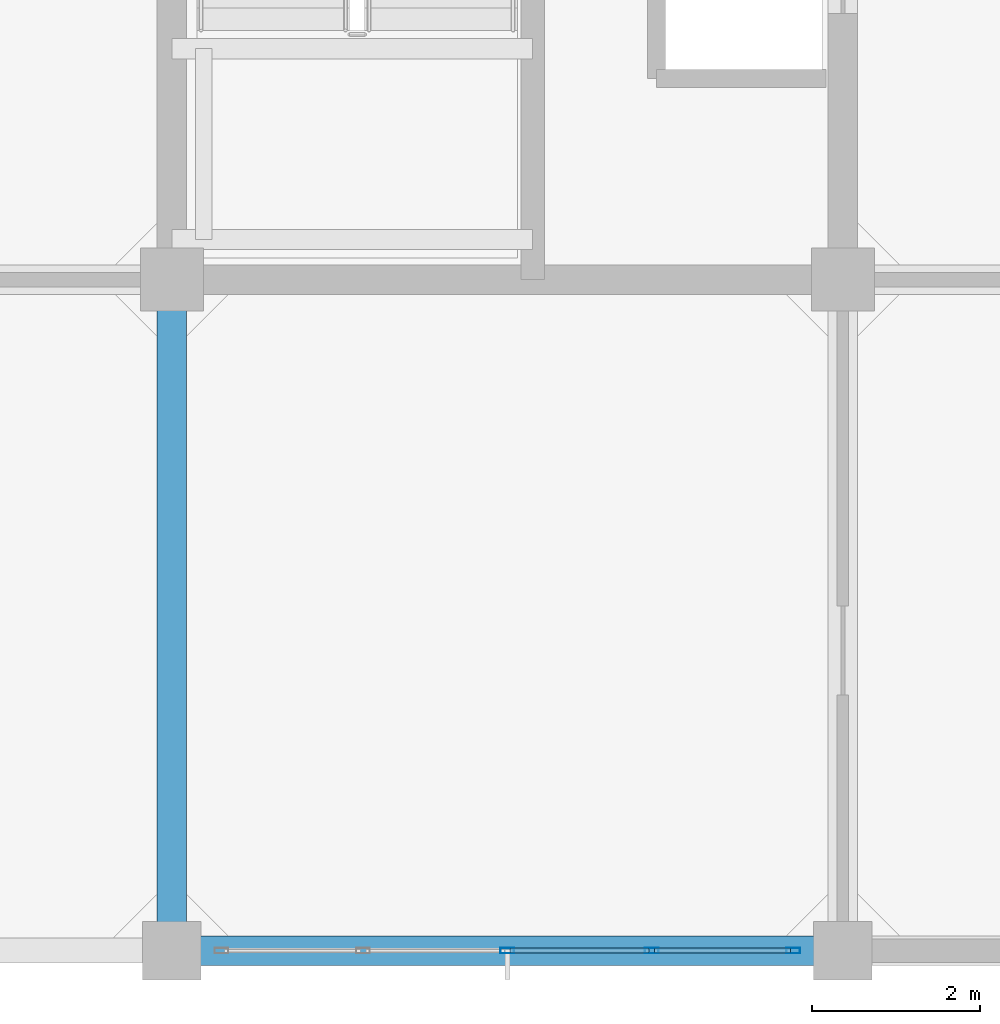
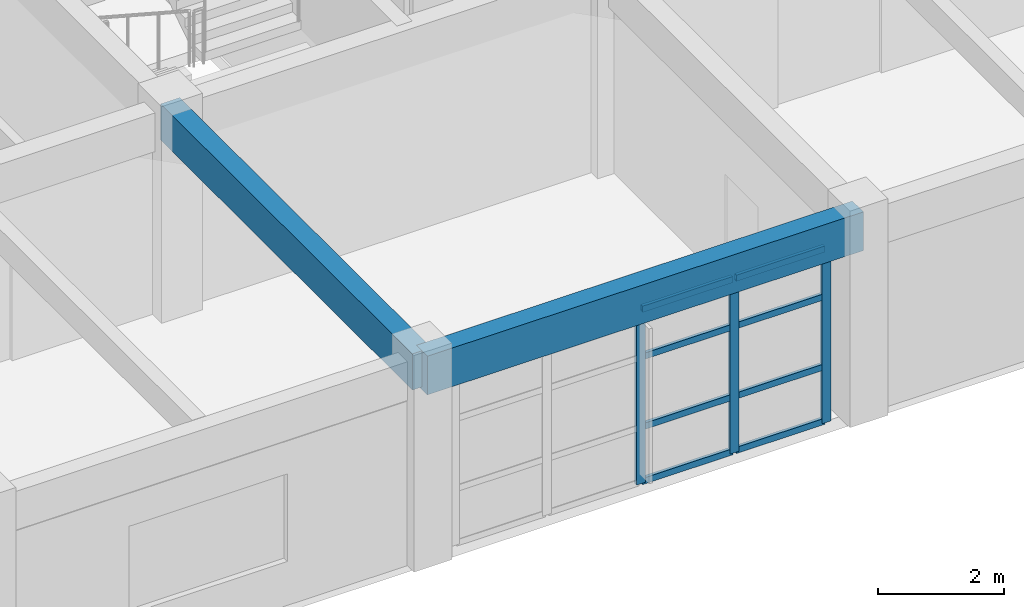
# One storey, part 3 of 19: 11 members, 2 beams, 1 element without a shape of its own.
"""IFC4 building model written with IfcOpenShell, lengths in metres."""

import ifcopenshell
import ifcopenshell.guid

model = None  # the IFC model being written
_history = None  # IfcOwnerHistory: only IFC2X3 demands one
_inside = {}  # id of a spatial element -> (the spatial element, [elements in it])
_under = {}  # id of a project, library or spatial element -> (it, [spatial elements below it])
_declared = {}  # id of a project -> (the project, [libraries it declares])
_typed = {}  # id of a type object -> (the type object, [elements of that type])
_made_of = {}  # id of a material, layer set ... -> (it, [elements and type objects made of it])


def new_model(schema):
    """Start an empty IFC model of exactly this schema.

    Asked for "IFC4X3", IfcOpenShell would pick the latest addendum, in which some entities
    have other attributes; the version numbers below select the first issue.
    IFC2X3 requires an IfcOwnerHistory on every rooted entity: one is made here for all.
    """
    global model, _history
    if schema == "IFC4X3":
        model = ifcopenshell.file(schema_version=(4, 3, 0, 0))
    else:
        model = ifcopenshell.file(schema=schema)
    _inside.clear()
    _under.clear()
    _declared.clear()
    _typed.clear()
    _made_of.clear()
    _history = None
    if model.schema == "IFC2X3":
        org = make("IfcOrganization", Name="unknown")
        user = make(
            "IfcPersonAndOrganization",
            ThePerson=make("IfcPerson", FamilyName="unknown"),
            TheOrganization=org,
        )
        app = make(
            "IfcApplication",
            ApplicationDeveloper=org,
            Version="unknown",
            ApplicationFullName="unknown",
            ApplicationIdentifier="unknown",
        )
        _history = make(
            "IfcOwnerHistory",
            OwningUser=user,
            OwningApplication=app,
            ChangeAction="ADDED",
            CreationDate=0,
        )
    return model


def make(cls, **values):
    """One entity of the class cls with the attributes given. An attribute that is None is left unset."""
    return model.create_entity(
        cls, **{name: value for name, value in values.items() if value is not None}
    )


def rooted(cls, **values):
    """An entity with a GlobalId (a new one), such as an element, a storey or a relation."""
    return make(cls, GlobalId=ifcopenshell.guid.new(), OwnerHistory=_history, **values)


def si_unit(unit_type, name, prefix=None):
    """IfcSIUnit, for example si_unit("LENGTHUNIT", "METRE", prefix="MILLI")."""
    return make("IfcSIUnit", UnitType=unit_type, Prefix=prefix, Name=name)


def assignment(units):
    """IfcUnitAssignment: the units of a project."""
    return None if units is None else make("IfcUnitAssignment", Units=units)


def point(xyz):
    """IfcCartesianPoint."""
    return None if xyz is None else make("IfcCartesianPoint", Coordinates=xyz)


def direction(xyz):
    """IfcDirection."""
    return None if xyz is None else make("IfcDirection", DirectionRatios=xyz)


def frame(location, z_axis=None, x_axis=None):
    """IfcAxis2Placement3D, a coordinate frame: its origin and axes. An axis left out is left unset."""
    return make(
        "IfcAxis2Placement3D",
        Location=point(location),
        Axis=direction(z_axis),
        RefDirection=direction(x_axis),
    )


def frame_2d(location, x_axis=None):
    """IfcAxis2Placement2D, a coordinate frame in the plane: its origin and x axis."""
    return make(
        "IfcAxis2Placement2D", Location=point(location), RefDirection=direction(x_axis)
    )


def origin():
    """The frame at (0, 0, 0) with its axes left unset."""
    return frame((0.0, 0.0, 0.0))


def origin_2d():
    """The frame at (0, 0) in the plane with its x axis left unset."""
    return frame_2d((0.0, 0.0))


def place(relative_to, where):
    """IfcLocalPlacement: puts the frame where relative to a parent placement (None: the world)."""
    return make(
        "IfcLocalPlacement", PlacementRelTo=relative_to, RelativePlacement=where
    )


def context(
    kind, dimensions, precision=None, world=None, true_north=None, identifier=None
):
    """IfcGeometricRepresentationContext, for example the 3D "Model" context."""
    return make(
        "IfcGeometricRepresentationContext",
        ContextIdentifier=identifier,
        ContextType=kind,
        CoordinateSpaceDimension=dimensions,
        Precision=precision,
        WorldCoordinateSystem=world,
        TrueNorth=true_north,
    )


def subcontext(parent, identifier, kind, view, scale=None):
    """IfcGeometricRepresentationSubContext, for example "Body" below "Model"."""
    return make(
        "IfcGeometricRepresentationSubContext",
        ContextIdentifier=identifier,
        ContextType=kind,
        ParentContext=parent,
        TargetScale=scale,
        TargetView=view,
    )


def project(units=None, contexts=None):
    """IfcProject with its units and contexts."""
    return rooted(
        "IfcProject",
        Name="project",
        RepresentationContexts=contexts,
        UnitsInContext=assignment(units),
    )


def spatial(cls, under=None, at=None, **own):
    """A site, building, storey or space (cls), placed at a placement, below another one or the project."""
    s = rooted(cls, ObjectPlacement=at, **own)
    if under is not None:
        _under.setdefault(under.id(), (under, []))[1].append(s)
    return s


def profile(cls, at=None, kind="AREA", **sizes):
    """A parametric profile (cls). Its sizes go by their IFC names, for example OverallWidth=200.0."""
    return make(cls, ProfileType=kind, Position=at, **sizes)


def rectangle(**sizes):
    """IfcRectangleProfileDef."""
    return profile("IfcRectangleProfileDef", **sizes)


def hollow_rectangle(**sizes):
    """IfcRectangleHollowProfileDef."""
    return profile("IfcRectangleHollowProfileDef", **sizes)


def extrude(swept, where, along, depth):
    """IfcExtrudedAreaSolid: the profile swept, set in the frame where, extruded along a direction by depth."""
    return make(
        "IfcExtrudedAreaSolid",
        SweptArea=swept,
        Position=where,
        ExtrudedDirection=direction(along),
        Depth=depth,
    )


def shape(context_of_items, identifier, shape_type, items):
    """IfcShapeRepresentation: the items that make up one representation, for example the "Body"."""
    return make(
        "IfcShapeRepresentation",
        ContextOfItems=context_of_items,
        RepresentationIdentifier=identifier,
        RepresentationType=shape_type,
        Items=items,
    )


def material(Name=None, Category=None):
    """IfcMaterial."""
    return make("IfcMaterial", Name=Name, Category=Category)


def layer(
    of_material, thickness, ventilated=None, Name=None, Category=None, Priority=None
):
    """IfcMaterialLayer: one layer of a wall or slab, of a material (None: an air gap)."""
    return make(
        "IfcMaterialLayer",
        Material=of_material,
        LayerThickness=thickness,
        IsVentilated=ventilated,
        Name=Name,
        Category=Category,
        Priority=Priority,
    )


def layer_set(layers, Name=None):
    """IfcMaterialLayerSet."""
    return make("IfcMaterialLayerSet", MaterialLayers=layers, LayerSetName=Name)


def material_profile(
    of_material, cross_section, Name=None, Category=None, Priority=None
):
    """IfcMaterialProfile: a cross section and its material."""
    return make(
        "IfcMaterialProfile",
        Name=Name,
        Material=of_material,
        Profile=cross_section,
        Priority=Priority,
        Category=Category,
    )


def profile_set(profiles, Name=None, composite=None):
    """IfcMaterialProfileSet."""
    return make(
        "IfcMaterialProfileSet",
        Name=Name,
        MaterialProfiles=profiles,
        CompositeProfile=composite,
    )


def made_of(thing, what):
    """Note that an element or type object is made of a material, layer set ...; save() writes the relation."""
    if what is not None:
        _made_of.setdefault(what.id(), (what, []))[1].append(thing)
    return thing


def type_object(cls, material=None, **own):
    """A type object (cls), such as IfcWallType, which elements share."""
    return made_of(rooted(cls, **own), material)


def element(
    cls,
    number,
    at=None,
    inside=None,
    cuts=None,
    type_object=None,
    material=None,
    context=None,
    identifier="Body",
    shape_type=None,
    held_by="IfcProductDefinitionShape",
    body=None,
    shapes=None,
    **own,
):
    """One element of the class cls, such as IfcWall. Its Tag is "e" and its number.

    at: its placement. inside: the storey or other place that contains it. cuts: it is an
    opening in that element (IfcRelVoidsElement). A single representation is given by context,
    identifier, shape_type and body (its items); several are given by shapes. held_by: the class
    of the entity that holds the representations. save() writes the other relations.
    """
    e = rooted(cls, Tag="e%d" % number, ObjectPlacement=at, **own)
    if body is not None:
        shapes = [shape(context, identifier, shape_type, body)]
    if shapes is not None:
        e.Representation = make(held_by, Representations=shapes)
    if inside is not None:
        _inside.setdefault(inside.id(), (inside, []))[1].append(e)
    if cuts is not None:
        rooted(
            "IfcRelVoidsElement", RelatingBuildingElement=cuts, RelatedOpeningElement=e
        )
    if type_object is not None:
        _typed.setdefault(type_object.id(), (type_object, []))[1].append(e)
    return made_of(e, material)


def aggregate(whole, parts):
    """IfcRelAggregates: a whole, such as a stair, and the parts it consists of."""
    return rooted("IfcRelAggregates", RelatingObject=whole, RelatedObjects=parts)


def save(model, path):
    """Write the relations noted so far, then the file.

    IfcRelAggregates (storeys below a building ...), IfcRelContainedInSpatialStructure (elements
    in a storey), IfcRelDefinesByType, IfcRelAssociatesMaterial and IfcRelDeclares: one each for
    every whole, place, type object, material and project.
    """
    for whole, parts in _under.values():
        aggregate(whole, parts)
    for where, things in _inside.values():
        rooted(
            "IfcRelContainedInSpatialStructure",
            RelatedElements=things,
            RelatingStructure=where,
        )
    for kind, things in _typed.values():
        rooted("IfcRelDefinesByType", RelatedObjects=things, RelatingType=kind)
    for what, things in _made_of.values():
        rooted("IfcRelAssociatesMaterial", RelatedObjects=things, RelatingMaterial=what)
    for by, libraries in _declared.values():
        rooted("IfcRelDeclares", RelatingContext=by, RelatedDefinitions=libraries)
    model.write(path)


model = new_model("IFC4")

# Units and contexts
model_context = context("Model", 3, precision=1e-05, world=origin(), true_north=direction((0.0, 1.0)))
body_context = subcontext(model_context, "Body", "Model", "MODEL_VIEW")
ifc_project = project(units=[si_unit("LENGTHUNIT", "METRE"), si_unit("AREAUNIT", "SQUARE_METRE"), si_unit("VOLUMEUNIT", "CUBIC_METRE"), si_unit("PLANEANGLEUNIT", "RADIAN"), si_unit("MASSUNIT", "GRAM", prefix="KILO")], contexts=[model_context])

# Site, building, storey
site_placement = place(None, origin())
site = spatial("IfcSite", under=ifc_project, at=site_placement, CompositionType="ELEMENT")
building_placement = place(site_placement, origin())
building = spatial("IfcBuilding", under=site, at=building_placement, Name="Canggui Botanical Conservatory", CompositionType="ELEMENT")
storey_placement = place(building_placement, frame((0.0, 0.0, 44.39990234375)))
storey = spatial("IfcBuildingStorey", under=building, at=storey_placement, Name="L11", CompositionType="ELEMENT", Elevation=44.39990234375)

# Beams
ifc_material_1 = material(Name="Concrete C35", Category="concrete")
ifc_material_profile_1 = material_profile(ifc_material_1, rectangle(XDim=0.35009765625, YDim=0.75, at=origin_2d()), Name="RB 350x750")
ifc_profile_set_1 = profile_set([ifc_material_profile_1], Name="Concrete C35")
beam_type_1 = type_object("IfcBeamType", Name="BM-KL16", PredefinedType="BEAM", material=ifc_profile_set_1)
beam_1_placement = place(storey_placement, frame((154.0, 34.0, 3.585205078125), z_axis=(1.0, 0.0, 0.0), x_axis=(0.0, 1.0, 0.0)))
element("IfcBeam", 1, at=beam_1_placement, inside=storey, type_object=beam_type_1, Name="Frame Girder L11 Y34-2", PredefinedType="BEAM", context=body_context, shape_type="SweptSolid", body=[
    extrude(rectangle(XDim=0.35009765625, YDim=0.75, at=origin_2d()), origin(), (0.0, 0.0, 1.0), 8.0),
])
ifc_material_profile_2 = material_profile(ifc_material_1, rectangle(XDim=0.35009765625, YDim=0.699951171875, at=origin_2d()), Name="RB 350x700")
ifc_profile_set_2 = profile_set([ifc_material_profile_2], Name="Concrete C35")
beam_type_2 = type_object("IfcBeamType", Name="BM-KL17", PredefinedType="BEAM", material=ifc_profile_set_2)
beam_2_placement = place(storey_placement, frame((154.0, 34.0, 3.610107421875), z_axis=(0.0, 1.0, 0.0), x_axis=(-1.0, 0.0, 0.0)))
element("IfcBeam", 2, at=beam_2_placement, inside=storey, type_object=beam_type_2, Name="Frame Girder L11 X154-1", PredefinedType="BEAM", context=body_context, shape_type="SweptSolid", body=[
    extrude(rectangle(XDim=0.35009765625, YDim=0.699951171875, at=origin_2d()), origin(), (0.0, 0.0, 1.0), 8.0),
])

# Curtain wall, members
ifc_material_2 = material(Name="Thermally Broken Aluminium", Category="aluminium")
ifc_layer = layer(ifc_material_2, 0.1650390625, Name="Thermally Broken Aluminium", Category="aluminium")
ifc_layer_set = layer_set([ifc_layer], Name="Thermally Broken Aluminium")
curtain_wall_type = type_object("IfcCurtainWallType", Name="CW-UNIT-B", PredefinedType="USERDEFINED", material=ifc_layer_set)
curtain_wall_placement = place(storey_placement, origin())
curtain_wall = element("IfcCurtainWall", 3, at=curtain_wall_placement, inside=storey, type_object=curtain_wall_type, Name="Facade Curtain Wall CW-TWR-L11-03", ObjectType="UNITISED CURTAIN WALL", PredefinedType="USERDEFINED")
ifc_material_profile_3 = material_profile(ifc_material_2, hollow_rectangle(XDim=0.06494140625, YDim=0.1650390625, WallThickness=0.00390625, at=origin_2d()), Name="CWM 65x165x4")
ifc_profile_set_3 = profile_set([ifc_material_profile_3], Name="Thermally Broken Aluminium")
member_type_1 = type_object("IfcMemberType", Name="CWM-02", PredefinedType="MULLION", material=ifc_profile_set_3)
member_1_placement = place(storey_placement, frame((161.407470703125, 34.0, 0.0), z_axis=(0.0, 0.0, 1.0), x_axis=(0.0, -1.0, 0.0)))
member_1 = element("IfcMember", 4, at=member_1_placement, type_object=member_type_1, Name="CW-02 mullion 1", PredefinedType="MULLION", context=body_context, shape_type="SweptSolid", body=[
    extrude(hollow_rectangle(XDim=0.06494140625, YDim=0.1650390625, WallThickness=0.00390625, at=origin_2d()), origin(), (0.0, 0.0, 1.0), 3.400146484375),
])
member_2_placement = place(storey_placement, frame((159.719970703125, 34.0, 0.0), z_axis=(0.0, 0.0, 1.0), x_axis=(0.0, -1.0, 0.0)))
member_2 = element("IfcMember", 5, at=member_2_placement, type_object=member_type_1, Name="CW-02 mullion 2", PredefinedType="MULLION", context=body_context, shape_type="SweptSolid", body=[
    extrude(hollow_rectangle(XDim=0.06494140625, YDim=0.1650390625, WallThickness=0.00390625, at=origin_2d()), origin(), (0.0, 0.0, 1.0), 3.400146484375),
])
member_3_placement = place(storey_placement, frame((158.0, 34.0, 0.0), z_axis=(0.0, 0.0, 1.0), x_axis=(0.0, -1.0, 0.0)))
member_3 = element("IfcMember", 6, at=member_3_placement, type_object=member_type_1, Name="CW-02 mullion 3", PredefinedType="MULLION", context=body_context, shape_type="SweptSolid", body=[
    extrude(hollow_rectangle(XDim=0.06494140625, YDim=0.1650390625, WallThickness=0.00390625, at=origin_2d()), origin(), (0.0, 0.0, 1.0), 3.400146484375),
])
ifc_material_profile_4 = material_profile(ifc_material_2, hollow_rectangle(XDim=0.06005859375, YDim=0.1201171875, WallThickness=0.00341796875, at=origin_2d()), Name="CWT 60x120x3.5")
ifc_profile_set_4 = profile_set([ifc_material_profile_4], Name="Thermally Broken Aluminium")
member_type_2 = type_object("IfcMemberType", Name="CWT-02", PredefinedType="USERDEFINED", material=ifc_profile_set_4)
member_4_placement = place(storey_placement, frame((161.375, 34.0, 0.030029296875), z_axis=(-1.0, 0.0, 0.0), x_axis=(0.0, -1.0, 0.0)))
member_4 = element("IfcMember", 7, at=member_4_placement, type_object=member_type_2, Name="CW-02 transom 1.1", ObjectType="TRANSOM", PredefinedType="USERDEFINED", context=body_context, shape_type="SweptSolid", body=[
    extrude(hollow_rectangle(XDim=0.06005859375, YDim=0.1201171875, WallThickness=0.00341796875, at=origin_2d()), origin(), (0.0, 0.0, 1.0), 1.62255859375),
])
member_5_placement = place(storey_placement, frame((161.375, 34.0, 1.088134765625), z_axis=(-1.0, 0.0, 0.0), x_axis=(0.0, -1.0, 0.0)))
member_5 = element("IfcMember", 8, at=member_5_placement, type_object=member_type_2, Name="CW-02 transom 1.2", ObjectType="TRANSOM", PredefinedType="USERDEFINED", context=body_context, shape_type="SweptSolid", body=[
    extrude(hollow_rectangle(XDim=0.06005859375, YDim=0.1201171875, WallThickness=0.00341796875, at=origin_2d()), origin(), (0.0, 0.0, 1.0), 1.62255859375),
])
member_6_placement = place(storey_placement, frame((161.375, 34.0, 2.447998046875), z_axis=(-1.0, 0.0, 0.0), x_axis=(0.0, -1.0, 0.0)))
member_6 = element("IfcMember", 9, at=member_6_placement, type_object=member_type_2, Name="CW-02 transom 1.3", ObjectType="TRANSOM", PredefinedType="USERDEFINED", context=body_context, shape_type="SweptSolid", body=[
    extrude(hollow_rectangle(XDim=0.06005859375, YDim=0.1201171875, WallThickness=0.00341796875, at=origin_2d()), origin(), (0.0, 0.0, 1.0), 1.62255859375),
])
member_7_placement = place(storey_placement, frame((161.375, 34.0, 3.3701171875), z_axis=(-1.0, 0.0, 0.0), x_axis=(0.0, -1.0, 0.0)))
member_7 = element("IfcMember", 10, at=member_7_placement, type_object=member_type_2, Name="CW-02 transom 1.4", ObjectType="TRANSOM", PredefinedType="USERDEFINED", context=body_context, shape_type="SweptSolid", body=[
    extrude(hollow_rectangle(XDim=0.06005859375, YDim=0.1201171875, WallThickness=0.00341796875, at=origin_2d()), origin(), (0.0, 0.0, 1.0), 1.62255859375),
])
member_8_placement = place(storey_placement, frame((159.6875, 34.0, 0.030029296875), z_axis=(-1.0, 0.0, 0.0), x_axis=(0.0, -1.0, 0.0)))
member_8 = element("IfcMember", 11, at=member_8_placement, type_object=member_type_2, Name="CW-02 transom 2.1", ObjectType="TRANSOM", PredefinedType="USERDEFINED", context=body_context, shape_type="SweptSolid", body=[
    extrude(hollow_rectangle(XDim=0.06005859375, YDim=0.1201171875, WallThickness=0.00341796875, at=origin_2d()), origin(), (0.0, 0.0, 1.0), 1.655029296875),
])
member_9_placement = place(storey_placement, frame((159.6875, 34.0, 1.088134765625), z_axis=(-1.0, 0.0, 0.0), x_axis=(0.0, -1.0, 0.0)))
member_9 = element("IfcMember", 12, at=member_9_placement, type_object=member_type_2, Name="CW-02 transom 2.2", ObjectType="TRANSOM", PredefinedType="USERDEFINED", context=body_context, shape_type="SweptSolid", body=[
    extrude(hollow_rectangle(XDim=0.06005859375, YDim=0.1201171875, WallThickness=0.00341796875, at=origin_2d()), origin(), (0.0, 0.0, 1.0), 1.655029296875),
])
member_10_placement = place(storey_placement, frame((159.6875, 34.0, 2.447998046875), z_axis=(-1.0, 0.0, 0.0), x_axis=(0.0, -1.0, 0.0)))
member_10 = element("IfcMember", 13, at=member_10_placement, type_object=member_type_2, Name="CW-02 transom 2.3", ObjectType="TRANSOM", PredefinedType="USERDEFINED", context=body_context, shape_type="SweptSolid", body=[
    extrude(hollow_rectangle(XDim=0.06005859375, YDim=0.1201171875, WallThickness=0.00341796875, at=origin_2d()), origin(), (0.0, 0.0, 1.0), 1.655029296875),
])
member_11_placement = place(storey_placement, frame((159.6875, 34.0, 3.3701171875), z_axis=(-1.0, 0.0, 0.0), x_axis=(0.0, -1.0, 0.0)))
member_11 = element("IfcMember", 14, at=member_11_placement, type_object=member_type_2, Name="CW-02 transom 2.4", ObjectType="TRANSOM", PredefinedType="USERDEFINED", context=body_context, shape_type="SweptSolid", body=[
    extrude(hollow_rectangle(XDim=0.06005859375, YDim=0.1201171875, WallThickness=0.00341796875, at=origin_2d()), origin(), (0.0, 0.0, 1.0), 1.655029296875),
])
aggregate(curtain_wall, [member_1, member_2, member_3, member_4, member_5, member_6, member_7, member_8, member_9, member_10, member_11])

save(model, "model.ifc")
